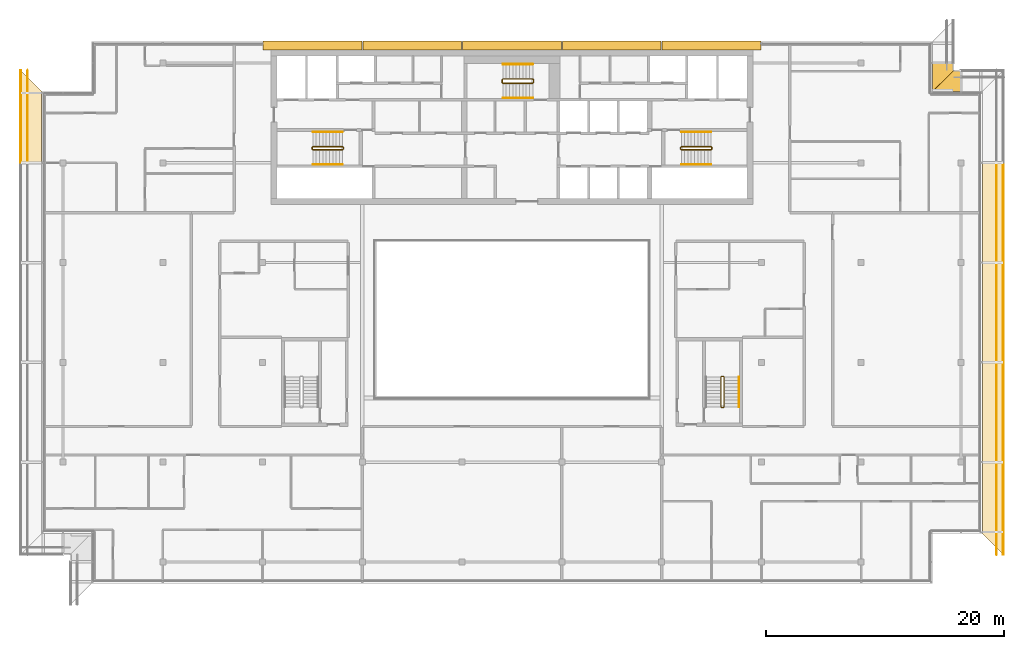
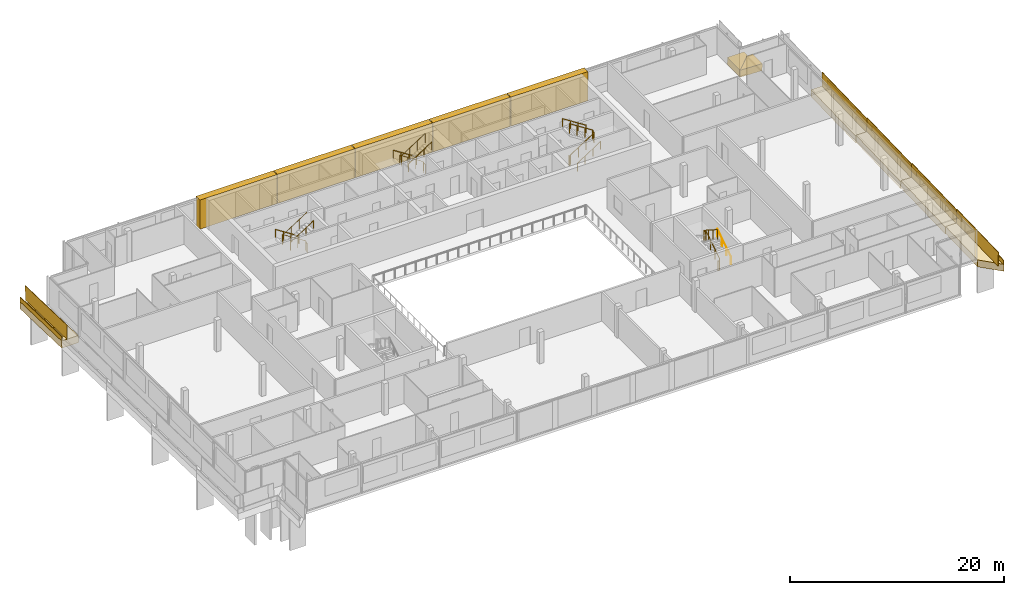
# One storey, part 24 of 27: 17 coverings, 16 railings.
"""IFC4 building model written with IfcOpenShell, lengths in metres."""

import ifcopenshell
import ifcopenshell.guid

model = None  # the IFC model being written
_history = None  # IfcOwnerHistory: only IFC2X3 demands one
_inside = {}  # id of a spatial element -> (the spatial element, [elements in it])
_under = {}  # id of a project, library or spatial element -> (it, [spatial elements below it])
_declared = {}  # id of a project -> (the project, [libraries it declares])
_typed = {}  # id of a type object -> (the type object, [elements of that type])
_made_of = {}  # id of a material, layer set ... -> (it, [elements and type objects made of it])


def new_model(schema):
    """Start an empty IFC model of exactly this schema.

    Asked for "IFC4X3", IfcOpenShell would pick the latest addendum, in which some entities
    have other attributes; the version numbers below select the first issue.
    IFC2X3 requires an IfcOwnerHistory on every rooted entity: one is made here for all.
    """
    global model, _history
    if schema == "IFC4X3":
        model = ifcopenshell.file(schema_version=(4, 3, 0, 0))
    else:
        model = ifcopenshell.file(schema=schema)
    _inside.clear()
    _under.clear()
    _declared.clear()
    _typed.clear()
    _made_of.clear()
    _history = None
    if model.schema == "IFC2X3":
        org = make("IfcOrganization", Name="unknown")
        user = make(
            "IfcPersonAndOrganization",
            ThePerson=make("IfcPerson", FamilyName="unknown"),
            TheOrganization=org,
        )
        app = make(
            "IfcApplication",
            ApplicationDeveloper=org,
            Version="unknown",
            ApplicationFullName="unknown",
            ApplicationIdentifier="unknown",
        )
        _history = make(
            "IfcOwnerHistory",
            OwningUser=user,
            OwningApplication=app,
            ChangeAction="ADDED",
            CreationDate=0,
        )
    return model


def make(cls, **values):
    """One entity of the class cls with the attributes given. An attribute that is None is left unset."""
    return model.create_entity(
        cls, **{name: value for name, value in values.items() if value is not None}
    )


def rooted(cls, **values):
    """An entity with a GlobalId (a new one), such as an element, a storey or a relation."""
    return make(cls, GlobalId=ifcopenshell.guid.new(), OwnerHistory=_history, **values)


def si_unit(unit_type, name, prefix=None):
    """IfcSIUnit, for example si_unit("LENGTHUNIT", "METRE", prefix="MILLI")."""
    return make("IfcSIUnit", UnitType=unit_type, Prefix=prefix, Name=name)


def assignment(units):
    """IfcUnitAssignment: the units of a project."""
    return None if units is None else make("IfcUnitAssignment", Units=units)


def point(xyz):
    """IfcCartesianPoint."""
    return None if xyz is None else make("IfcCartesianPoint", Coordinates=xyz)


def direction(xyz):
    """IfcDirection."""
    return None if xyz is None else make("IfcDirection", DirectionRatios=xyz)


def frame(location, z_axis=None, x_axis=None):
    """IfcAxis2Placement3D, a coordinate frame: its origin and axes. An axis left out is left unset."""
    return make(
        "IfcAxis2Placement3D",
        Location=point(location),
        Axis=direction(z_axis),
        RefDirection=direction(x_axis),
    )


def frame_2d(location, x_axis=None):
    """IfcAxis2Placement2D, a coordinate frame in the plane: its origin and x axis."""
    return make(
        "IfcAxis2Placement2D", Location=point(location), RefDirection=direction(x_axis)
    )


def origin():
    """The frame at (0, 0, 0) with its axes left unset."""
    return frame((0.0, 0.0, 0.0))


def origin_2d():
    """The frame at (0, 0) in the plane with its x axis left unset."""
    return frame_2d((0.0, 0.0))


def place(relative_to, where):
    """IfcLocalPlacement: puts the frame where relative to a parent placement (None: the world)."""
    return make(
        "IfcLocalPlacement", PlacementRelTo=relative_to, RelativePlacement=where
    )


def context(
    kind, dimensions, precision=None, world=None, true_north=None, identifier=None
):
    """IfcGeometricRepresentationContext, for example the 3D "Model" context."""
    return make(
        "IfcGeometricRepresentationContext",
        ContextIdentifier=identifier,
        ContextType=kind,
        CoordinateSpaceDimension=dimensions,
        Precision=precision,
        WorldCoordinateSystem=world,
        TrueNorth=true_north,
    )


def subcontext(parent, identifier, kind, view, scale=None):
    """IfcGeometricRepresentationSubContext, for example "Body" below "Model"."""
    return make(
        "IfcGeometricRepresentationSubContext",
        ContextIdentifier=identifier,
        ContextType=kind,
        ParentContext=parent,
        TargetScale=scale,
        TargetView=view,
    )


def project(units=None, contexts=None):
    """IfcProject with its units and contexts."""
    return rooted(
        "IfcProject",
        Name="project",
        RepresentationContexts=contexts,
        UnitsInContext=assignment(units),
    )


def spatial(cls, under=None, at=None, **own):
    """A site, building, storey or space (cls), placed at a placement, below another one or the project."""
    s = rooted(cls, ObjectPlacement=at, **own)
    if under is not None:
        _under.setdefault(under.id(), (under, []))[1].append(s)
    return s


def polyline(points):
    """IfcPolyline through the points."""
    return make("IfcPolyline", Points=[point(p) for p in points])


def profile(cls, at=None, kind="AREA", **sizes):
    """A parametric profile (cls). Its sizes go by their IFC names, for example OverallWidth=200.0."""
    return make(cls, ProfileType=kind, Position=at, **sizes)


def rectangle(**sizes):
    """IfcRectangleProfileDef."""
    return profile("IfcRectangleProfileDef", **sizes)


def circle(**sizes):
    """IfcCircleProfileDef."""
    return profile("IfcCircleProfileDef", **sizes)


def outline(outer, holes=None, kind="AREA"):
    """IfcArbitraryClosedProfileDef: a profile drawn as a closed curve; with holes, ...WithVoids."""
    if holes is None:
        return make("IfcArbitraryClosedProfileDef", ProfileType=kind, OuterCurve=outer)
    return make(
        "IfcArbitraryProfileDefWithVoids",
        ProfileType=kind,
        OuterCurve=outer,
        InnerCurves=holes,
    )


def extrude(swept, where, along, depth):
    """IfcExtrudedAreaSolid: the profile swept, set in the frame where, extruded along a direction by depth."""
    return make(
        "IfcExtrudedAreaSolid",
        SweptArea=swept,
        Position=where,
        ExtrudedDirection=direction(along),
        Depth=depth,
    )


def shape(context_of_items, identifier, shape_type, items):
    """IfcShapeRepresentation: the items that make up one representation, for example the "Body"."""
    return make(
        "IfcShapeRepresentation",
        ContextOfItems=context_of_items,
        RepresentationIdentifier=identifier,
        RepresentationType=shape_type,
        Items=items,
    )


def material(Name=None, Category=None):
    """IfcMaterial."""
    return make("IfcMaterial", Name=Name, Category=Category)


def layer(
    of_material, thickness, ventilated=None, Name=None, Category=None, Priority=None
):
    """IfcMaterialLayer: one layer of a wall or slab, of a material (None: an air gap)."""
    return make(
        "IfcMaterialLayer",
        Material=of_material,
        LayerThickness=thickness,
        IsVentilated=ventilated,
        Name=Name,
        Category=Category,
        Priority=Priority,
    )


def layer_set(layers, Name=None):
    """IfcMaterialLayerSet."""
    return make("IfcMaterialLayerSet", MaterialLayers=layers, LayerSetName=Name)


def made_of(thing, what):
    """Note that an element or type object is made of a material, layer set ...; save() writes the relation."""
    if what is not None:
        _made_of.setdefault(what.id(), (what, []))[1].append(thing)
    return thing


def type_object(cls, material=None, **own):
    """A type object (cls), such as IfcWallType, which elements share."""
    return made_of(rooted(cls, **own), material)


def element(
    cls,
    number,
    at=None,
    inside=None,
    cuts=None,
    type_object=None,
    material=None,
    context=None,
    identifier="Body",
    shape_type=None,
    held_by="IfcProductDefinitionShape",
    body=None,
    shapes=None,
    **own,
):
    """One element of the class cls, such as IfcWall. Its Tag is "e" and its number.

    at: its placement. inside: the storey or other place that contains it. cuts: it is an
    opening in that element (IfcRelVoidsElement). A single representation is given by context,
    identifier, shape_type and body (its items); several are given by shapes. held_by: the class
    of the entity that holds the representations. save() writes the other relations.
    """
    e = rooted(cls, Tag="e%d" % number, ObjectPlacement=at, **own)
    if body is not None:
        shapes = [shape(context, identifier, shape_type, body)]
    if shapes is not None:
        e.Representation = make(held_by, Representations=shapes)
    if inside is not None:
        _inside.setdefault(inside.id(), (inside, []))[1].append(e)
    if cuts is not None:
        rooted(
            "IfcRelVoidsElement", RelatingBuildingElement=cuts, RelatedOpeningElement=e
        )
    if type_object is not None:
        _typed.setdefault(type_object.id(), (type_object, []))[1].append(e)
    return made_of(e, material)


def aggregate(whole, parts):
    """IfcRelAggregates: a whole, such as a stair, and the parts it consists of."""
    return rooted("IfcRelAggregates", RelatingObject=whole, RelatedObjects=parts)


def save(model, path):
    """Write the relations noted so far, then the file.

    IfcRelAggregates (storeys below a building ...), IfcRelContainedInSpatialStructure (elements
    in a storey), IfcRelDefinesByType, IfcRelAssociatesMaterial and IfcRelDeclares: one each for
    every whole, place, type object, material and project.
    """
    for whole, parts in _under.values():
        aggregate(whole, parts)
    for where, things in _inside.values():
        rooted(
            "IfcRelContainedInSpatialStructure",
            RelatedElements=things,
            RelatingStructure=where,
        )
    for kind, things in _typed.values():
        rooted("IfcRelDefinesByType", RelatedObjects=things, RelatingType=kind)
    for what, things in _made_of.values():
        rooted("IfcRelAssociatesMaterial", RelatedObjects=things, RelatingMaterial=what)
    for by, libraries in _declared.values():
        rooted("IfcRelDeclares", RelatingContext=by, RelatedDefinitions=libraries)
    model.write(path)


model = new_model("IFC4")

# Units and contexts
model_context = context("Model", 3, precision=1e-05, world=origin(), true_north=direction((0.0, 1.0)))
body_context = subcontext(model_context, "Body", "Model", "MODEL_VIEW")
ifc_project = project(units=[si_unit("LENGTHUNIT", "METRE"), si_unit("AREAUNIT", "SQUARE_METRE"), si_unit("VOLUMEUNIT", "CUBIC_METRE"), si_unit("PLANEANGLEUNIT", "RADIAN"), si_unit("MASSUNIT", "GRAM", prefix="KILO")], contexts=[model_context])

# Site, building, storey
site_placement = place(None, origin())
site = spatial("IfcSite", under=ifc_project, at=site_placement, CompositionType="ELEMENT")
building_placement = place(site_placement, origin())
building = spatial("IfcBuilding", under=site, at=building_placement, Name="Saffron Gate Tower", CompositionType="ELEMENT")
storey_placement = place(building_placement, frame((0.0, 0.0, 267.14990234375)))
storey = spatial("IfcBuildingStorey", under=building, at=storey_placement, Name="L64", CompositionType="ELEMENT", Elevation=267.14990234375)

# Coverings
ifc_material_1 = material(Name="Ceramic-printed bronze insulated panel")
ifc_layer_1 = layer(ifc_material_1, 0.739990234375)
ifc_layer_set_1 = layer_set([ifc_layer_1], Name="CLD5 ceramic-printed cladding panel 740")
covering_type_1 = type_object("IfcCoveringType", Name="CLD5 ceramic-printed cladding panel 740", PredefinedType="CLADDING", material=ifc_layer_set_1)
covering_1_placement = place(storey_placement, origin())
element("IfcCovering", 1, at=covering_1_placement, inside=storey, type_object=covering_type_1, Name="CLADDING ceramic-printed panel", PredefinedType="CLADDING", context=body_context, shape_type="SweptSolid", body=[
    extrude(outline(polyline([(108.56494140625, 75.639892578125), (100.235107421875, 75.639892578125), (100.235107421875, 74.89990234375), (108.56494140625, 74.89990234375), (108.56494140625, 75.639892578125)])), origin(), (0.0, 0.0, 1.0), 3.320068359375),
])
covering_2_placement = place(storey_placement, origin())
element("IfcCovering", 2, at=covering_2_placement, inside=storey, type_object=covering_type_1, Name="CLADDING ceramic-printed panel", PredefinedType="CLADDING", context=body_context, shape_type="SweptSolid", body=[
    extrude(outline(polyline([(100.1650390625, 75.639892578125), (91.8349609375, 75.639892578125), (91.8349609375, 74.89990234375), (100.1650390625, 74.89990234375), (100.1650390625, 75.639892578125)])), origin(), (0.0, 0.0, 1.0), 3.320068359375),
])
covering_3_placement = place(storey_placement, origin())
element("IfcCovering", 3, at=covering_3_placement, inside=storey, type_object=covering_type_1, Name="CLADDING ceramic-printed panel", PredefinedType="CLADDING", context=body_context, shape_type="SweptSolid", body=[
    extrude(outline(polyline([(91.764892578125, 75.639892578125), (83.43505859375, 75.639892578125), (83.43505859375, 74.89990234375), (91.764892578125, 74.89990234375), (91.764892578125, 75.639892578125)])), origin(), (0.0, 0.0, 1.0), 3.320068359375),
])
covering_4_placement = place(storey_placement, origin())
element("IfcCovering", 4, at=covering_4_placement, inside=storey, type_object=covering_type_1, Name="CLADDING ceramic-printed panel", PredefinedType="CLADDING", context=body_context, shape_type="SweptSolid", body=[
    extrude(outline(polyline([(83.364990234375, 75.639892578125), (75.034912109375, 75.639892578125), (75.034912109375, 74.89990234375), (83.364990234375, 74.89990234375), (83.364990234375, 75.639892578125)])), origin(), (0.0, 0.0, 1.0), 3.320068359375),
])
covering_5_placement = place(storey_placement, origin())
element("IfcCovering", 5, at=covering_5_placement, inside=storey, type_object=covering_type_1, Name="CLADDING ceramic-printed panel", PredefinedType="CLADDING", context=body_context, shape_type="SweptSolid", body=[
    extrude(outline(polyline([(74.965087890625, 75.639892578125), (66.635009765625, 75.639892578125), (66.635009765625, 74.89990234375), (74.965087890625, 74.89990234375), (74.965087890625, 75.639892578125)])), origin(), (0.0, 0.0, 1.0), 3.320068359375),
])

# Railings
ifc_material_2 = material(Name="Stainless steel and laminated glass", Category="steel")
railing_type_1 = type_object("IfcRailingType", Name="CR1 Stair guard 1100", PredefinedType="GUARDRAIL", material=ifc_material_2)
railing_1_placement = place(storey_placement, frame((73.39990234375, 66.550048828125, 0.0)))
element("IfcRailing", 6, at=railing_1_placement, inside=storey, type_object=railing_type_1, Name="L64 ST-A stair guard 1", PredefinedType="GUARDRAIL", context=body_context, shape_type="SweptSolid", body=[
    extrude(circle(Radius=0.02392578125, at=origin_2d()), frame((0.0, 0.0, 1.076171875), z_axis=(0.0, 1.0, 0.0), x_axis=(-1.0, 0.0, 0.0)), (0.0, 0.0, 1.0), 0.14990234375),
    extrude(circle(Radius=0.02392578125, at=origin_2d()), frame((0.0, 0.14990234375, 1.076171875), z_axis=(-0.257366384619, 0.258627984543, 0.931060744355), x_axis=(-0.708833529934, -0.705375805398, 0.0)), (0.0, 0.0, 1.0), 0.193603515625),
    extrude(circle(Radius=0.02392578125, at=origin_2d()), frame((-0.0498046875, 0.199951171875, 1.25634765625), z_axis=(-0.841199657755, 0.0, 0.540724639528), x_axis=(0.0, -1.0, 0.0)), (0.0, 0.0, 1.0), 2.995849609375),
    extrude(circle(Radius=0.02392578125, at=origin_2d()), frame((-2.56982421875, 0.199951171875, 2.8759765625), z_axis=(-0.707106781187, -0.707106781187, 0.0), x_axis=(0.707106781187, -0.707106781187, 0.0)), (0.0, 0.0, 1.0), 0.07080078125),
    extrude(circle(Radius=0.02392578125, at=origin_2d()), frame((-2.619873046875, 0.14990234375, 2.8759765625), z_axis=(0.0, -1.0, 0.0), x_axis=(1.0, 0.0, 0.0)), (0.0, 0.0, 1.0), 0.14990234375),
    extrude(circle(Radius=0.02392578125, at=origin_2d()), frame((-2.619873046875, 0.0, 2.8759765625), z_axis=(0.258847668887, -0.258847668887, 0.930588936439), x_axis=(0.707106781187, 0.707106781187, 0.0)), (0.0, 0.0, 1.0), 0.193359375),
    extrude(circle(Radius=0.02392578125, at=origin_2d()), frame((-2.56982421875, -0.050048828125, 3.05615234375), z_axis=(0.841162588446, 0.0, 0.540782303519), x_axis=(0.0, 1.0, 0.0)), (0.0, 0.0, 1.0), 2.995849609375),
    extrude(circle(Radius=0.02099609375, at=origin_2d()), origin(), (0.0, 0.0, 1.0), 1.052001953125),
    extrude(circle(Radius=0.02099609375, at=origin_2d()), frame((0.0, 0.14990234375, 0.0)), (0.0, 0.0, 1.0), 1.052001953125),
    extrude(circle(Radius=0.02099609375, at=origin_2d()), frame((-0.0498046875, 0.199951171875, 0.18017578125)), (0.0, 0.0, 1.0), 1.052001953125),
    extrude(circle(Radius=0.02099609375, at=origin_2d()), frame((-0.889892578125, 0.199951171875, 0.72021484375)), (0.0, 0.0, 1.0), 1.052001953125),
    extrude(circle(Radius=0.02099609375, at=origin_2d()), frame((-1.729736328125, 0.199951171875, 1.260009765625)), (0.0, 0.0, 1.0), 1.052001953125),
    extrude(circle(Radius=0.02099609375, at=origin_2d()), frame((-2.56982421875, 0.199951171875, 1.800048828125)), (0.0, 0.0, 1.0), 1.052001953125),
    extrude(circle(Radius=0.02099609375, at=origin_2d()), frame((-2.619873046875, 0.14990234375, 1.800048828125)), (0.0, 0.0, 1.0), 1.052001953125),
    extrude(circle(Radius=0.02099609375, at=origin_2d()), frame((-2.619873046875, 0.0, 1.800048828125)), (0.0, 0.0, 1.0), 1.052001953125),
    extrude(circle(Radius=0.02099609375, at=origin_2d()), frame((-2.56982421875, -0.050048828125, 1.97998046875)), (0.0, 0.0, 1.0), 1.052001953125),
    extrude(circle(Radius=0.02099609375, at=origin_2d()), frame((-1.729736328125, -0.050048828125, 2.52001953125)), (0.0, 0.0, 1.0), 1.052001953125),
    extrude(circle(Radius=0.02099609375, at=origin_2d()), frame((-0.889892578125, -0.050048828125, 3.06005859375)), (0.0, 0.0, 1.0), 1.052001953125),
    extrude(circle(Radius=0.02099609375, at=origin_2d()), frame((-0.0498046875, -0.050048828125, 3.60009765625)), (0.0, 0.0, 1.0), 1.052001953125),
])
railing_2_placement = place(storey_placement, frame((101.800048828125, 66.699951171875, 0.0)))
element("IfcRailing", 7, at=railing_2_placement, inside=storey, type_object=railing_type_1, Name="L64 ST-B stair guard 1", PredefinedType="GUARDRAIL", context=body_context, shape_type="SweptSolid", body=[
    extrude(circle(Radius=0.02392578125, at=origin_2d()), frame((0.0, 0.0, 1.076171875), z_axis=(0.0, -1.0, 0.0), x_axis=(1.0, 0.0, 0.0)), (0.0, 0.0, 1.0), 0.14990234375),
    extrude(circle(Radius=0.02392578125, at=origin_2d()), frame((0.0, -0.14990234375, 1.076171875), z_axis=(0.258543844998, -0.258543844998, 0.930757841991), x_axis=(0.707106781187, 0.707106781187, 0.0)), (0.0, 0.0, 1.0), 0.193603515625),
    extrude(circle(Radius=0.02392578125, at=origin_2d()), frame((0.050048828125, -0.199951171875, 1.25634765625), z_axis=(0.841199657755, 0.0, 0.540724639528), x_axis=(0.0, 1.0, 0.0)), (0.0, 0.0, 1.0), 2.995849609375),
    extrude(circle(Radius=0.02392578125, at=origin_2d()), frame((2.570068359375, -0.199951171875, 2.8759765625), z_axis=(0.705375805398, 0.708833529934, 0.0), x_axis=(-0.708833529934, 0.705375805398, 0.0)), (0.0, 0.0, 1.0), 0.070556640625),
    extrude(circle(Radius=0.02392578125, at=origin_2d()), frame((2.619873046875, -0.14990234375, 2.8759765625), z_axis=(0.0, 1.0, 0.0), x_axis=(-1.0, 0.0, 0.0)), (0.0, 0.0, 1.0), 0.14990234375),
    extrude(circle(Radius=0.02392578125, at=origin_2d()), frame((2.619873046875, 0.0, 2.8759765625), z_axis=(-0.257669022063, 0.258932105505, 0.930892496375), x_axis=(-0.708833529934, -0.705375805398, 0.0)), (0.0, 0.0, 1.0), 0.193359375),
    extrude(circle(Radius=0.02392578125, at=origin_2d()), frame((2.570068359375, 0.050048828125, 3.05615234375), z_axis=(-0.841162588446, 0.0, 0.540782303519), x_axis=(0.0, -1.0, 0.0)), (0.0, 0.0, 1.0), 2.995849609375),
    extrude(circle(Radius=0.02099609375, at=origin_2d()), origin(), (0.0, 0.0, 1.0), 1.052001953125),
    extrude(circle(Radius=0.02099609375, at=origin_2d()), frame((0.0, -0.14990234375, 0.0)), (0.0, 0.0, 1.0), 1.052001953125),
    extrude(circle(Radius=0.02099609375, at=origin_2d()), frame((0.050048828125, -0.199951171875, 0.18017578125)), (0.0, 0.0, 1.0), 1.052001953125),
    extrude(circle(Radius=0.02099609375, at=origin_2d()), frame((0.89013671875, -0.199951171875, 0.72021484375)), (0.0, 0.0, 1.0), 1.052001953125),
    extrude(circle(Radius=0.02099609375, at=origin_2d()), frame((1.72998046875, -0.199951171875, 1.260009765625)), (0.0, 0.0, 1.0), 1.052001953125),
    extrude(circle(Radius=0.02099609375, at=origin_2d()), frame((2.570068359375, -0.199951171875, 1.800048828125)), (0.0, 0.0, 1.0), 1.052001953125),
    extrude(circle(Radius=0.02099609375, at=origin_2d()), frame((2.619873046875, -0.14990234375, 1.800048828125)), (0.0, 0.0, 1.0), 1.052001953125),
    extrude(circle(Radius=0.02099609375, at=origin_2d()), frame((2.619873046875, 0.0, 1.800048828125)), (0.0, 0.0, 1.0), 1.052001953125),
    extrude(circle(Radius=0.02099609375, at=origin_2d()), frame((2.570068359375, 0.050048828125, 1.97998046875)), (0.0, 0.0, 1.0), 1.052001953125),
    extrude(circle(Radius=0.02099609375, at=origin_2d()), frame((1.72998046875, 0.050048828125, 2.52001953125)), (0.0, 0.0, 1.0), 1.052001953125),
    extrude(circle(Radius=0.02099609375, at=origin_2d()), frame((0.89013671875, 0.050048828125, 3.06005859375)), (0.0, 0.0, 1.0), 1.052001953125),
    extrude(circle(Radius=0.02099609375, at=origin_2d()), frame((0.050048828125, 0.050048828125, 3.60009765625)), (0.0, 0.0, 1.0), 1.052001953125),
])
railing_3_placement = place(storey_placement, frame((89.39990234375, 72.14990234375, 0.0)))
element("IfcRailing", 8, at=railing_3_placement, inside=storey, type_object=railing_type_1, Name="L64 ST-C stair guard 1", PredefinedType="GUARDRAIL", context=body_context, shape_type="SweptSolid", body=[
    extrude(circle(Radius=0.02392578125, at=origin_2d()), frame((0.0, 0.0, 1.076171875), z_axis=(0.0, 1.0, 0.0), x_axis=(-1.0, 0.0, 0.0)), (0.0, 0.0, 1.0), 0.25),
    extrude(circle(Radius=0.02392578125, at=origin_2d()), frame((0.0, 0.25, 1.076171875), z_axis=(-0.257366384619, 0.258627984543, 0.931060744355), x_axis=(-0.708833529934, -0.705375805398, 0.0)), (0.0, 0.0, 1.0), 0.193603515625),
    extrude(circle(Radius=0.02392578125, at=origin_2d()), frame((-0.0498046875, 0.300048828125, 1.25634765625), z_axis=(-0.841199657755, 0.0, 0.540724639528), x_axis=(0.0, -1.0, 0.0)), (0.0, 0.0, 1.0), 2.995849609375),
    extrude(circle(Radius=0.02392578125, at=origin_2d()), frame((-2.56982421875, 0.300048828125, 2.8759765625), z_axis=(-0.707106781187, -0.707106781187, 0.0), x_axis=(0.707106781187, -0.707106781187, 0.0)), (0.0, 0.0, 1.0), 0.07080078125),
    extrude(circle(Radius=0.02392578125, at=origin_2d()), frame((-2.619873046875, 0.25, 2.8759765625), z_axis=(0.0, -1.0, 0.0), x_axis=(1.0, 0.0, 0.0)), (0.0, 0.0, 1.0), 0.25),
    extrude(circle(Radius=0.02392578125, at=origin_2d()), frame((-2.619873046875, 0.0, 2.8759765625), z_axis=(0.258932105505, -0.257669022063, 0.930892496375), x_axis=(0.705375805398, 0.708833529934, 0.0)), (0.0, 0.0, 1.0), 0.193359375),
    extrude(circle(Radius=0.02392578125, at=origin_2d()), frame((-2.56982421875, -0.0498046875, 3.05615234375), z_axis=(0.841162588446, 0.0, 0.540782303519), x_axis=(0.0, 1.0, 0.0)), (0.0, 0.0, 1.0), 2.995849609375),
    extrude(circle(Radius=0.02099609375, at=origin_2d()), origin(), (0.0, 0.0, 1.0), 1.052001953125),
    extrude(circle(Radius=0.02099609375, at=origin_2d()), frame((0.0, 0.25, 0.0)), (0.0, 0.0, 1.0), 1.052001953125),
    extrude(circle(Radius=0.02099609375, at=origin_2d()), frame((-0.0498046875, 0.300048828125, 0.18017578125)), (0.0, 0.0, 1.0), 1.052001953125),
    extrude(circle(Radius=0.02099609375, at=origin_2d()), frame((-0.889892578125, 0.300048828125, 0.72021484375)), (0.0, 0.0, 1.0), 1.052001953125),
    extrude(circle(Radius=0.02099609375, at=origin_2d()), frame((-1.729736328125, 0.300048828125, 1.260009765625)), (0.0, 0.0, 1.0), 1.052001953125),
    extrude(circle(Radius=0.02099609375, at=origin_2d()), frame((-2.56982421875, 0.300048828125, 1.800048828125)), (0.0, 0.0, 1.0), 1.052001953125),
    extrude(circle(Radius=0.02099609375, at=origin_2d()), frame((-2.619873046875, 0.25, 1.800048828125)), (0.0, 0.0, 1.0), 1.052001953125),
    extrude(circle(Radius=0.02099609375, at=origin_2d()), frame((-2.619873046875, 0.0, 1.800048828125)), (0.0, 0.0, 1.0), 1.052001953125),
    extrude(circle(Radius=0.02099609375, at=origin_2d()), frame((-2.56982421875, -0.0498046875, 1.97998046875)), (0.0, 0.0, 1.0), 1.052001953125),
    extrude(circle(Radius=0.02099609375, at=origin_2d()), frame((-1.729736328125, -0.0498046875, 2.52001953125)), (0.0, 0.0, 1.0), 1.052001953125),
    extrude(circle(Radius=0.02099609375, at=origin_2d()), frame((-0.889892578125, -0.0498046875, 3.06005859375)), (0.0, 0.0, 1.0), 1.052001953125),
    extrude(circle(Radius=0.02099609375, at=origin_2d()), frame((-0.0498046875, -0.0498046875, 3.60009765625)), (0.0, 0.0, 1.0), 1.052001953125),
])
railing_4_placement = place(storey_placement, frame((105.25, 44.800048828125, 0.0)))
element("IfcRailing", 9, at=railing_4_placement, inside=storey, type_object=railing_type_1, Name="L64 ST-E stair guard 1", PredefinedType="GUARDRAIL", context=body_context, shape_type="SweptSolid", body=[
    extrude(circle(Radius=0.02392578125, at=origin_2d()), frame((0.0, 0.0, 1.076171875), z_axis=(1.0, 0.0, 0.0), x_axis=(0.0, 1.0, 0.0)), (0.0, 0.0, 1.0), 0.14990234375),
    extrude(circle(Radius=0.02392578125, at=origin_2d()), frame((0.14990234375, 0.0, 1.076171875), z_axis=(0.258543844998, 0.258543844998, 0.930757841991), x_axis=(-0.707106781187, 0.707106781187, 0.0)), (0.0, 0.0, 1.0), 0.193603515625),
    extrude(circle(Radius=0.02392578125, at=origin_2d()), frame((0.199951171875, 0.050048828125, 1.25634765625), z_axis=(0.0, 0.841199657755, 0.540724639528), x_axis=(-1.0, 0.0, 0.0)), (0.0, 0.0, 1.0), 2.995849609375),
    extrude(circle(Radius=0.02392578125, at=origin_2d()), frame((0.199951171875, 2.570068359375, 2.8759765625), z_axis=(-0.708833529934, 0.705375805398, 0.0), x_axis=(-0.705375805398, -0.708833529934, 0.0)), (0.0, 0.0, 1.0), 0.070556640625),
    extrude(circle(Radius=0.02392578125, at=origin_2d()), frame((0.14990234375, 2.619873046875, 2.8759765625), z_axis=(-1.0, 0.0, 0.0), x_axis=(0.0, -1.0, 0.0)), (0.0, 0.0, 1.0), 0.14990234375),
    extrude(circle(Radius=0.02392578125, at=origin_2d()), frame((0.0, 2.619873046875, 2.8759765625), z_axis=(-0.258932105505, -0.257669022063, 0.930892496375), x_axis=(0.705375805398, -0.708833529934, 0.0)), (0.0, 0.0, 1.0), 0.193359375),
    extrude(circle(Radius=0.02392578125, at=origin_2d()), frame((-0.050048828125, 2.570068359375, 3.05615234375), z_axis=(0.0, -0.841162588446, 0.540782303519), x_axis=(1.0, 0.0, 0.0)), (0.0, 0.0, 1.0), 2.995849609375),
    extrude(circle(Radius=0.02099609375, at=origin_2d()), origin(), (0.0, 0.0, 1.0), 1.052001953125),
    extrude(circle(Radius=0.02099609375, at=origin_2d()), frame((0.14990234375, 0.0, 0.0)), (0.0, 0.0, 1.0), 1.052001953125),
    extrude(circle(Radius=0.02099609375, at=origin_2d()), frame((0.199951171875, 0.050048828125, 0.18017578125)), (0.0, 0.0, 1.0), 1.052001953125),
    extrude(circle(Radius=0.02099609375, at=origin_2d()), frame((0.199951171875, 0.89013671875, 0.72021484375)), (0.0, 0.0, 1.0), 1.052001953125),
    extrude(circle(Radius=0.02099609375, at=origin_2d()), frame((0.199951171875, 1.72998046875, 1.260009765625)), (0.0, 0.0, 1.0), 1.052001953125),
    extrude(circle(Radius=0.02099609375, at=origin_2d()), frame((0.199951171875, 2.570068359375, 1.800048828125)), (0.0, 0.0, 1.0), 1.052001953125),
    extrude(circle(Radius=0.02099609375, at=origin_2d()), frame((0.14990234375, 2.619873046875, 1.800048828125)), (0.0, 0.0, 1.0), 1.052001953125),
    extrude(circle(Radius=0.02099609375, at=origin_2d()), frame((0.0, 2.619873046875, 1.800048828125)), (0.0, 0.0, 1.0), 1.052001953125),
    extrude(circle(Radius=0.02099609375, at=origin_2d()), frame((-0.050048828125, 2.570068359375, 1.97998046875)), (0.0, 0.0, 1.0), 1.052001953125),
    extrude(circle(Radius=0.02099609375, at=origin_2d()), frame((-0.050048828125, 1.72998046875, 2.52001953125)), (0.0, 0.0, 1.0), 1.052001953125),
    extrude(circle(Radius=0.02099609375, at=origin_2d()), frame((-0.050048828125, 0.89013671875, 3.06005859375)), (0.0, 0.0, 1.0), 1.052001953125),
    extrude(circle(Radius=0.02099609375, at=origin_2d()), frame((-0.050048828125, 0.050048828125, 3.60009765625)), (0.0, 0.0, 1.0), 1.052001953125),
])
ifc_material_3 = material(Name="Stainless steel", Category="steel")
railing_type_2 = type_object("IfcRailingType", Name="CR2 Stair handrail 900", PredefinedType="HANDRAIL", material=ifc_material_3)
railing_5_placement = place(storey_placement, frame((73.35009765625, 68.0, 0.18017578125)))
element("IfcRailing", 10, at=railing_5_placement, inside=storey, type_object=railing_type_2, Name="L64 ST-A stair handrail 1", PredefinedType="HANDRAIL", context=body_context, shape_type="SweptSolid", body=[
    extrude(circle(Radius=0.02392578125, at=origin_2d()), frame((0.0, 0.0, 0.8759765625), z_axis=(-0.841199657755, 0.0, 0.540724639528), x_axis=(0.0, -1.0, 0.0)), (0.0, 0.0, 1.0), 2.995849609375),
    extrude(circle(Radius=0.02099609375, at=origin_2d()), origin(), (0.0, 0.0, 1.0), 0.851806640625),
    extrude(circle(Radius=0.02099609375, at=origin_2d()), frame((-0.840087890625, 0.0, 0.5400390625)), (0.0, 0.0, 1.0), 0.851806640625),
    extrude(circle(Radius=0.02099609375, at=origin_2d()), frame((-1.679931640625, 0.0, 1.079833984375)), (0.0, 0.0, 1.0), 0.851806640625),
    extrude(circle(Radius=0.02099609375, at=origin_2d()), frame((-2.52001953125, 0.0, 1.619873046875)), (0.0, 0.0, 1.0), 0.851806640625),
])
railing_6_placement = place(storey_placement, frame((70.830078125, 65.25, 1.97998046875)))
element("IfcRailing", 11, at=railing_6_placement, inside=storey, type_object=railing_type_2, Name="L64 ST-A stair handrail 2", PredefinedType="HANDRAIL", context=body_context, shape_type="SweptSolid", body=[
    extrude(circle(Radius=0.02392578125, at=origin_2d()), frame((0.0, 0.0, 0.8759765625), z_axis=(0.841162588446, 0.0, 0.540782303519), x_axis=(0.0, 1.0, 0.0)), (0.0, 0.0, 1.0), 2.995849609375),
    extrude(circle(Radius=0.02099609375, at=origin_2d()), origin(), (0.0, 0.0, 1.0), 0.851806640625),
    extrude(circle(Radius=0.02099609375, at=origin_2d()), frame((0.840087890625, 0.0, 0.5400390625)), (0.0, 0.0, 1.0), 0.851806640625),
    extrude(circle(Radius=0.02099609375, at=origin_2d()), frame((1.679931640625, 0.0, 1.080078125)), (0.0, 0.0, 1.0), 0.851806640625),
    extrude(circle(Radius=0.02099609375, at=origin_2d()), frame((2.52001953125, 0.0, 1.6201171875)), (0.0, 0.0, 1.0), 0.851806640625),
])
railing_7_placement = place(storey_placement, frame((101.85009765625, 65.25, 0.18017578125)))
element("IfcRailing", 12, at=railing_7_placement, inside=storey, type_object=railing_type_2, Name="L64 ST-B stair handrail 1", PredefinedType="HANDRAIL", context=body_context, shape_type="SweptSolid", body=[
    extrude(circle(Radius=0.02392578125, at=origin_2d()), frame((0.0, 0.0, 0.8759765625), z_axis=(0.841199657755, 0.0, 0.540724639528), x_axis=(0.0, 1.0, 0.0)), (0.0, 0.0, 1.0), 2.995849609375),
    extrude(circle(Radius=0.02099609375, at=origin_2d()), origin(), (0.0, 0.0, 1.0), 0.851806640625),
    extrude(circle(Radius=0.02099609375, at=origin_2d()), frame((0.840087890625, 0.0, 0.5400390625)), (0.0, 0.0, 1.0), 0.851806640625),
    extrude(circle(Radius=0.02099609375, at=origin_2d()), frame((1.679931640625, 0.0, 1.079833984375)), (0.0, 0.0, 1.0), 0.851806640625),
    extrude(circle(Radius=0.02099609375, at=origin_2d()), frame((2.52001953125, 0.0, 1.619873046875)), (0.0, 0.0, 1.0), 0.851806640625),
])
railing_8_placement = place(storey_placement, frame((104.3701171875, 68.0, 1.97998046875)))
element("IfcRailing", 13, at=railing_8_placement, inside=storey, type_object=railing_type_2, Name="L64 ST-B stair handrail 2", PredefinedType="HANDRAIL", context=body_context, shape_type="SweptSolid", body=[
    extrude(circle(Radius=0.02392578125, at=origin_2d()), frame((0.0, 0.0, 0.8759765625), z_axis=(-0.841162588446, 0.0, 0.540782303519), x_axis=(0.0, -1.0, 0.0)), (0.0, 0.0, 1.0), 2.995849609375),
    extrude(circle(Radius=0.02099609375, at=origin_2d()), origin(), (0.0, 0.0, 1.0), 0.851806640625),
    extrude(circle(Radius=0.02099609375, at=origin_2d()), frame((-0.840087890625, 0.0, 0.5400390625)), (0.0, 0.0, 1.0), 0.851806640625),
    extrude(circle(Radius=0.02099609375, at=origin_2d()), frame((-1.679931640625, 0.0, 1.080078125)), (0.0, 0.0, 1.0), 0.851806640625),
    extrude(circle(Radius=0.02099609375, at=origin_2d()), frame((-2.52001953125, 0.0, 1.6201171875)), (0.0, 0.0, 1.0), 0.851806640625),
])
railing_9_placement = place(storey_placement, frame((89.35009765625, 73.699951171875, 0.18017578125)))
element("IfcRailing", 14, at=railing_9_placement, inside=storey, type_object=railing_type_2, Name="L64 ST-C stair handrail 1", PredefinedType="HANDRAIL", context=body_context, shape_type="SweptSolid", body=[
    extrude(circle(Radius=0.02392578125, at=origin_2d()), frame((0.0, 0.0, 0.8759765625), z_axis=(-0.841199657755, 0.0, 0.540724639528), x_axis=(0.0, -1.0, 0.0)), (0.0, 0.0, 1.0), 2.995849609375),
    extrude(circle(Radius=0.02099609375, at=origin_2d()), origin(), (0.0, 0.0, 1.0), 0.851806640625),
    extrude(circle(Radius=0.02099609375, at=origin_2d()), frame((-0.840087890625, 0.0, 0.5400390625)), (0.0, 0.0, 1.0), 0.851806640625),
    extrude(circle(Radius=0.02099609375, at=origin_2d()), frame((-1.679931640625, 0.0, 1.079833984375)), (0.0, 0.0, 1.0), 0.851806640625),
    extrude(circle(Radius=0.02099609375, at=origin_2d()), frame((-2.52001953125, 0.0, 1.619873046875)), (0.0, 0.0, 1.0), 0.851806640625),
])
railing_10_placement = place(storey_placement, frame((86.830078125, 70.85009765625, 1.97998046875)))
element("IfcRailing", 15, at=railing_10_placement, inside=storey, type_object=railing_type_2, Name="L64 ST-C stair handrail 2", PredefinedType="HANDRAIL", context=body_context, shape_type="SweptSolid", body=[
    extrude(circle(Radius=0.02392578125, at=origin_2d()), frame((0.0, 0.0, 0.8759765625), z_axis=(0.841162588446, 0.0, 0.540782303519), x_axis=(0.0, 1.0, 0.0)), (0.0, 0.0, 1.0), 2.995849609375),
    extrude(circle(Radius=0.02099609375, at=origin_2d()), origin(), (0.0, 0.0, 1.0), 0.851806640625),
    extrude(circle(Radius=0.02099609375, at=origin_2d()), frame((0.840087890625, 0.0, 0.5400390625)), (0.0, 0.0, 1.0), 0.851806640625),
    extrude(circle(Radius=0.02099609375, at=origin_2d()), frame((1.679931640625, 0.0, 1.080078125)), (0.0, 0.0, 1.0), 0.851806640625),
    extrude(circle(Radius=0.02099609375, at=origin_2d()), frame((2.52001953125, 0.0, 1.6201171875)), (0.0, 0.0, 1.0), 0.851806640625),
])
railing_11_placement = place(storey_placement, frame((106.699951171875, 44.85009765625, 0.18017578125)))
element("IfcRailing", 16, at=railing_11_placement, inside=storey, type_object=railing_type_2, Name="L64 ST-E stair handrail 1", PredefinedType="HANDRAIL", context=body_context, shape_type="SweptSolid", body=[
    extrude(circle(Radius=0.02392578125, at=origin_2d()), frame((0.0, 0.0, 0.8759765625), z_axis=(0.0, 0.841199657755, 0.540724639528), x_axis=(-1.0, 0.0, 0.0)), (0.0, 0.0, 1.0), 2.995849609375),
    extrude(circle(Radius=0.02099609375, at=origin_2d()), origin(), (0.0, 0.0, 1.0), 0.851806640625),
    extrude(circle(Radius=0.02099609375, at=origin_2d()), frame((0.0, 0.840087890625, 0.5400390625)), (0.0, 0.0, 1.0), 0.851806640625),
    extrude(circle(Radius=0.02099609375, at=origin_2d()), frame((0.0, 1.679931640625, 1.079833984375)), (0.0, 0.0, 1.0), 0.851806640625),
    extrude(circle(Radius=0.02099609375, at=origin_2d()), frame((0.0, 2.52001953125, 1.619873046875)), (0.0, 0.0, 1.0), 0.851806640625),
])

# Coverings
ifc_material_4 = material(Name="Timber, thermally modified ash", Category="wood")
ifc_layer_2 = layer(ifc_material_4, 0.800048828125)
ifc_layer_set_2 = layer_set([ifc_layer_2], Name="LD1 ledge timber")
covering_type_2 = type_object("IfcCoveringType", Name="LD1 ledge timber", PredefinedType="CLADDING", material=ifc_layer_set_2)
for number, where, z_axis, x_axis, name in (
    (17, (48.0, 71.39990234375, -0.037109375), (2.391759e-05, 0.028789477025, 0.999585496814), (-1.72e-10, -0.9995854971, 0.028789477033), "LEDGE"),
    (18, (127.199951171875, 34.199951171875, -0.037109375), (-2.391759e-05, -0.028789477025, 0.999585496814), (1.72e-10, 0.9995854971, 0.028789477033), "LEDGE"),
):
    element("IfcCovering", number, at=place(storey_placement, frame(where, z_axis=z_axis, x_axis=x_axis)), inside=storey, type_object=covering_type_2, Name=name, PredefinedType="CLADDING", context=body_context, shape_type="SweptSolid", body=[
        extrude(outline(polyline([(0.0, 0.0), (6.002489288687248, -8.470329472543003e-22), (6.002489288996045, -1.8000488276101398), (-1.800792782710612, -1.8000488299785034), (0.0, 0.0)])), origin(), (0.0, 0.0, -1.0), 0.800048828125),
    ])
covering_6_placement = place(storey_placement, frame((127.199951171875, 40.199951171875, 0.041259765625), z_axis=(0.0, -0.028790339263, 0.999585472266), x_axis=(0.0, 0.999585472266, 0.028790339263)))
element("IfcCovering", 19, at=covering_6_placement, inside=storey, type_object=covering_type_2, Name="LEDGE", PredefinedType="CLADDING", context=body_context, shape_type="SweptSolid", body=[
    extrude(outline(polyline([(0.0, 0.0), (8.403630022085892, 0.0), (8.403630022085892, -1.800048828125), (0.0, -1.800048828125), (0.0, 0.0)])), origin(), (0.0, 0.0, -1.0), 0.800048828125),
])
for number, where, z_axis, x_axis, name in (
    (20, (127.199951171875, 48.60009765625, 0.15087890625), (0.0, -0.028791175352, 0.999585448184), (0.0, 0.999585448184, 0.028791175352), "LEDGE"),
    (21, (127.199951171875, 57.0, 0.260498046875), (0.0, -0.028791175352, 0.999585448184), (0.0, 0.999585448184, 0.028791175352), "LEDGE"),
):
    element("IfcCovering", number, at=place(storey_placement, frame(where, z_axis=z_axis, x_axis=x_axis)), inside=storey, type_object=covering_type_2, Name=name, PredefinedType="CLADDING", context=body_context, shape_type="SweptSolid", body=[
        extrude(outline(polyline([(0.0, 0.0), (8.403385982666892, 0.0), (8.403385982666892, -1.800048828125), (0.0, -1.800048828125), (0.0, 0.0)])), origin(), (0.0, 0.0, -1.0), 0.800048828125),
    ])
covering_7_placement = place(storey_placement, frame((125.39990234375, 71.39990234375, 0.471923828125), z_axis=(0.028798988267, -2.8677152e-05, 0.999585222706), x_axis=(-0.999585223117, -6.17e-10, 0.028798988279)))
element("IfcCovering", 22, at=covering_7_placement, inside=storey, type_object=covering_type_2, Name="LEDGE", PredefinedType="CLADDING", context=body_context, shape_type="SweptSolid", body=[
    extrude(outline(polyline([(0.0, 0.0), (2.400896693585025, 4.235164736271502e-22), (0.6001039103565923, -1.8000488292351675), (-1.1098572600196767e-09, -1.8000488273848385), (0.0, 0.0)])), origin(), (0.0, 0.0, -1.0), 0.800048828125),
])
covering_8_placement = place(storey_placement, frame((123.0, 71.39990234375, 0.50341796875), z_axis=(2.6333678e-05, -0.028794305201, 0.999585357683), x_axis=(5.2e-10, 0.99958535803, 0.028794305211)))
element("IfcCovering", 23, at=covering_8_placement, inside=storey, type_object=covering_type_2, Name="LEDGE", PredefinedType="CLADDING", context=body_context, shape_type="SweptSolid", body=[
    extrude(outline(polyline([(0.0, 0.0), (2.401140733194568, 0.0), (2.4011407341303483, -1.8000488275008664), (1.8007927835182762, -1.8000488290612322), (0.0, 0.0)])), origin(), (0.0, 0.0, -1.0), 0.800048828125),
])
ifc_layer_3 = layer(ifc_material_4, 0.080078125)
ifc_layer_set_3 = layer_set([ifc_layer_3], Name="LD2 ledge planter trough")
covering_type_3 = type_object("IfcCoveringType", Name="LD2 ledge planter trough", PredefinedType="CLADDING", material=ifc_layer_set_3)
for number, where, z_axis, x_axis, name in (
    (24, (46.199951171875, 73.199951171875, -0.0888671875), (-1.0, 0.0, 0.0), (0.0, -0.999585655924, 0.028783962047), "LEDGE planter trough"),
    (25, (129.0, 32.39990234375, -0.0888671875), (1.0, 0.0, 0.0), (0.0, 0.999585655924, 0.028783962047), "LEDGE planter trough"),
):
    element("IfcCovering", number, at=place(storey_placement, frame(where, z_axis=z_axis, x_axis=x_axis)), inside=storey, type_object=covering_type_3, Name=name, PredefinedType="CLADDING", context=body_context, shape_type="SweptSolid", body=[
        extrude(outline(polyline([(0.0, 0.0), (7.803282071825423, 2.7755575615628914e-17), (7.817674052849086, 0.4997928279619612), (0.014391981023662846, 0.4997928279619612), (0.0, 0.0)])), origin(), (0.0, 0.0, -1.0), 0.080078125),
    ])
covering_9_placement = place(storey_placement, frame((129.0, 40.199951171875, 0.041259765625), z_axis=(1.0, 0.0, 0.0), x_axis=(0.0, 0.999585472266, 0.028790339263)))
element("IfcCovering", 26, at=covering_9_placement, inside=storey, type_object=covering_type_3, Name="LEDGE planter trough", PredefinedType="CLADDING", context=body_context, shape_type="SweptSolid", body=[
    extrude(outline(polyline([(0.0, 0.0), (8.403630022085892, 0.0), (8.418025191717298, 0.4997927361329725), (0.014395169631405694, 0.4997927361329725), (0.0, 0.0)])), origin(), (0.0, 0.0, -1.0), 0.080078125),
])
for number, where, z_axis, x_axis, name in (
    (27, (129.0, 48.60009765625, 0.15087890625), (1.0, 0.0, 0.0), (0.0, 0.999585448184, 0.028791175352), "LEDGE planter trough"),
    (28, (129.0, 57.0, 0.260498046875), (1.0, 0.0, 0.0), (0.0, 0.999585448184, 0.028791175352), "LEDGE planter trough"),
):
    element("IfcCovering", number, at=place(storey_placement, frame(where, z_axis=z_axis, x_axis=x_axis)), inside=storey, type_object=covering_type_3, Name=name, PredefinedType="CLADDING", context=body_context, shape_type="SweptSolid", body=[
        extrude(outline(polyline([(0.0, 0.0), (8.403385982666892, 0.0), (8.417781570342743, 0.49979272409216496), (0.014395587675851172, 0.4997927240921649), (0.0, 0.0)])), origin(), (0.0, 0.0, -1.0), 0.080078125),
    ])

# Railings
railing_type_3 = type_object("IfcRailingType", Name="LG1 ledge balustrade", PredefinedType="BALUSTRADE", material=ifc_material_4)
railing_12_placement = place(storey_placement, frame((46.800048828125, 73.199951171875, -0.0888671875)))
element("IfcRailing", 29, at=railing_12_placement, inside=storey, type_object=railing_type_3, Name="LEDGE BALUSTRADE", PredefinedType="BALUSTRADE", context=body_context, shape_type="SweptSolid", body=[
    extrude(rectangle(XDim=0.06005859375, YDim=1.60009765625, at=origin_2d()), frame((0.0, 0.0, 0.800048828125), z_axis=(0.0, -0.999585655924, 0.028783962047), x_axis=(1.0, 0.0, 0.0)), (0.0, 0.0, 1.0), 7.80322265625),
])
railing_13_placement = place(storey_placement, frame((128.39990234375, 32.39990234375, -0.0888671875)))
element("IfcRailing", 30, at=railing_13_placement, inside=storey, type_object=railing_type_3, Name="LEDGE BALUSTRADE", PredefinedType="BALUSTRADE", context=body_context, shape_type="SweptSolid", body=[
    extrude(rectangle(XDim=0.06005859375, YDim=1.60009765625, at=origin_2d()), frame((0.0, 0.0, 0.800048828125), z_axis=(0.0, 0.999585655924, 0.028783962047), x_axis=(-1.0, 0.0, 0.0)), (0.0, 0.0, 1.0), 7.80322265625),
])
railing_14_placement = place(storey_placement, frame((128.39990234375, 40.199951171875, 0.041259765625)))
element("IfcRailing", 31, at=railing_14_placement, inside=storey, type_object=railing_type_3, Name="LEDGE BALUSTRADE", PredefinedType="BALUSTRADE", context=body_context, shape_type="SweptSolid", body=[
    extrude(rectangle(XDim=0.06005859375, YDim=1.60009765625, at=origin_2d()), frame((0.0, 0.0, 0.800048828125), z_axis=(0.0, 0.999585472266, 0.028790339263), x_axis=(-1.0, 0.0, 0.0)), (0.0, 0.0, 1.0), 8.403564453125),
])
for number, where, name in (
    (32, (128.39990234375, 48.60009765625, 0.15087890625), "LEDGE BALUSTRADE"),
    (33, (128.39990234375, 57.0, 0.260498046875), "LEDGE BALUSTRADE"),
):
    element("IfcRailing", number, at=place(storey_placement, frame(where)), inside=storey, type_object=railing_type_3, Name=name, PredefinedType="BALUSTRADE", context=body_context, shape_type="SweptSolid", body=[
        extrude(rectangle(XDim=0.06005859375, YDim=1.60009765625, at=origin_2d()), frame((0.0, 0.0, 0.800048828125), z_axis=(0.0, 0.999585448184, 0.028791175352), x_axis=(-1.0, 0.0, 0.0)), (0.0, 0.0, 1.0), 8.4033203125),
    ])

save(model, "model.ifc")
